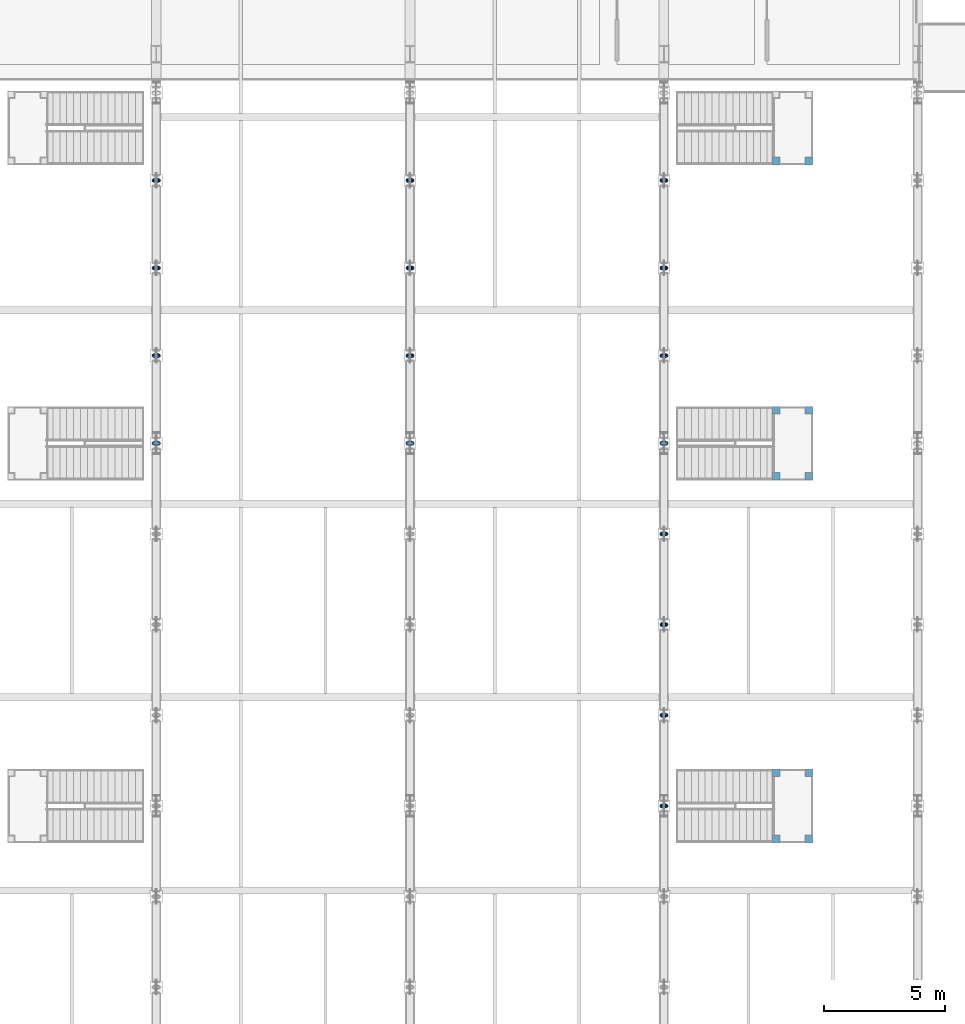
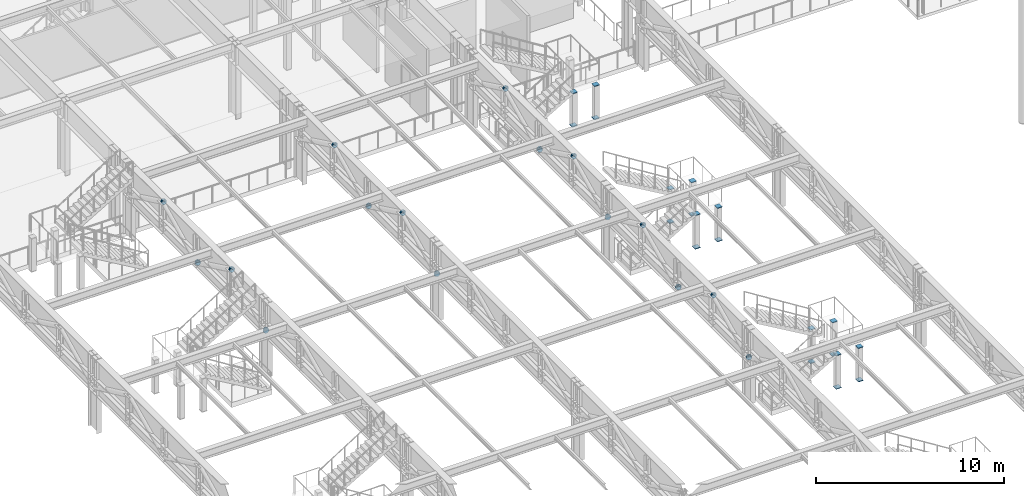
# One storey, part 101 of 143: 52 discrete accessories.
"""IFC4 building model written with IfcOpenShell, lengths in metres."""

from ifc_helpers import new_model, si_unit, direction, frame, origin, origin_2d, place, context, subcontext, project, spatial, rectangle, circle, extrude, material, element, save


model = new_model("IFC4")

# Units and contexts
model_context = context("Model", 3, precision=1e-05, world=origin(), true_north=direction((0.0, 1.0)))
body_context = subcontext(model_context, "Body", "Model", "MODEL_VIEW")
ifc_project = project(units=[si_unit("LENGTHUNIT", "METRE"), si_unit("AREAUNIT", "SQUARE_METRE"), si_unit("VOLUMEUNIT", "CUBIC_METRE"), si_unit("PLANEANGLEUNIT", "RADIAN"), si_unit("MASSUNIT", "GRAM", prefix="KILO")], contexts=[model_context])

# Site, building, storey
site_placement = place(None, origin())
site = spatial("IfcSite", under=ifc_project, at=site_placement, CompositionType="ELEMENT")
building_placement = place(site_placement, origin())
building = spatial("IfcBuilding", under=site, at=building_placement, Name="Marlcrest Central Station", CompositionType="ELEMENT")
storey_placement = place(building_placement, frame((0.0, 0.0, 4.800048828125)))
storey = spatial("IfcBuildingStorey", under=building, at=storey_placement, Name="L01", CompositionType="ELEMENT", Elevation=4.800048828125)

# Discrete accessories
ifc_material = material(Name="Steel S355", Category="steel")
for number, where, z_axis, x_axis, name in (
    (1, (97.5, 80.977294921875, 2.75537109375), (0.0, 0.906183139995, -0.422885465331), (-1.0, 0.0, 0.0), "endcap-mem-TD-01-L01-02203-e"),
    (2, (97.5, 80.986572265625, 2.73828125), (0.0, 0.900551636365, 0.434749065831), (-1.0, 0.0, 0.0), "endcap-mem-TD-01-L01-02206-s"),
    (3, (97.5, 84.6025390625, 4.48388671875), (0.0, 0.900551636365, 0.434749065831), (-1.0, 0.0, 0.0), "endcap-mem-TD-01-L01-02206-e"),
    (4, (97.5, 84.611572265625, 4.50146484375), (0.0, 0.900551636365, -0.434749065831), (-1.0, 0.0, 0.0), "endcap-mem-TD-01-L01-02209-s"),
    (5, (97.5, 88.2275390625, 2.755859375), (0.0, 0.900551636365, -0.434749065831), (-1.0, 0.0, 0.0), "endcap-mem-TD-01-L01-02209-e"),
    (6, (97.5, 88.236572265625, 2.73828125), (0.0, 0.900551636365, 0.434749065831), (-1.0, 0.0, 0.0), "endcap-mem-TD-01-L01-02212-s"),
    (7, (97.5, 91.8525390625, 4.48388671875), (0.0, 0.900551636365, 0.434749065831), (-1.0, 0.0, 0.0), "endcap-mem-TD-01-L01-02212-e"),
    (8, (97.5, 91.861572265625, 4.50146484375), (0.0, 0.900551636365, -0.434749065831), (-1.0, 0.0, 0.0), "endcap-mem-TD-01-L01-02215-s"),
    (9, (108.0, 80.977294921875, 2.75537109375), (0.0, 0.906183139995, -0.422885465331), (-1.0, 0.0, 0.0), "endcap-mem-TD-01-L01-02252-e"),
    (10, (108.0, 80.986572265625, 2.73828125), (0.0, 0.900551636365, 0.434749065831), (-1.0, 0.0, 0.0), "endcap-mem-TD-01-L01-02255-s"),
    (11, (108.0, 84.6025390625, 4.48388671875), (0.0, 0.900551636365, 0.434749065831), (-1.0, 0.0, 0.0), "endcap-mem-TD-01-L01-02255-e"),
    (12, (108.0, 84.611572265625, 4.50146484375), (0.0, 0.900551636365, -0.434749065831), (-1.0, 0.0, 0.0), "endcap-mem-TD-01-L01-02258-s"),
    (13, (108.0, 88.2275390625, 2.755859375), (0.0, 0.900551636365, -0.434749065831), (-1.0, 0.0, 0.0), "endcap-mem-TD-01-L01-02258-e"),
    (14, (108.0, 88.236572265625, 2.73828125), (0.0, 0.900551636365, 0.434749065831), (-1.0, 0.0, 0.0), "endcap-mem-TD-01-L01-02261-s"),
    (15, (108.0, 91.8525390625, 4.48388671875), (0.0, 0.900551636365, 0.434749065831), (-1.0, 0.0, 0.0), "endcap-mem-TD-01-L01-02261-e"),
    (16, (108.0, 91.861572265625, 4.50146484375), (0.0, 0.900551636365, -0.434749065831), (-1.0, 0.0, 0.0), "endcap-mem-TD-01-L01-02264-s"),
    (17, (118.5, 65.977294921875, 2.75537109375), (0.0, 0.906183139995, -0.422885465331), (-1.0, 0.0, 0.0), "endcap-mem-TD-01-L01-02289-e"),
    (18, (118.5, 65.986328125, 2.738525390625), (0.0, 0.906183139995, 0.422885465331), (-1.0, 0.0, 0.0), "endcap-mem-TD-01-L01-02292-s"),
    (19, (118.5, 69.727294921875, 4.484375), (0.0, 0.906183139995, 0.422885465331), (-1.0, 0.0, 0.0), "endcap-mem-TD-01-L01-02292-e"),
    (20, (118.5, 69.736328125, 4.501220703125), (0.0, 0.906183139995, -0.422885465331), (-1.0, 0.0, 0.0), "endcap-mem-TD-01-L01-02295-s"),
    (21, (118.5, 73.477294921875, 2.75537109375), (0.0, 0.906183139995, -0.422885465331), (-1.0, 0.0, 0.0), "endcap-mem-TD-01-L01-02295-e"),
    (22, (118.5, 73.486328125, 2.738525390625), (0.0, 0.906183139995, 0.422885465331), (-1.0, 0.0, 0.0), "endcap-mem-TD-01-L01-02298-s"),
    (23, (118.5, 77.227294921875, 4.484375), (0.0, 0.906183139995, 0.422885465331), (-1.0, 0.0, 0.0), "endcap-mem-TD-01-L01-02298-e"),
    (24, (118.5, 77.236328125, 4.501220703125), (0.0, 0.906183139995, -0.422885465331), (-1.0, 0.0, 0.0), "endcap-mem-TD-01-L01-02301-s"),
    (25, (118.5, 80.977294921875, 2.75537109375), (0.0, 0.906183139995, -0.422885465331), (-1.0, 0.0, 0.0), "endcap-mem-TD-01-L01-02301-e"),
    (26, (118.5, 80.986572265625, 2.73828125), (0.0, 0.900551636365, 0.434749065831), (-1.0, 0.0, 0.0), "endcap-mem-TD-01-L01-02304-s"),
    (27, (118.5, 84.6025390625, 4.48388671875), (0.0, 0.900551636365, 0.434749065831), (-1.0, 0.0, 0.0), "endcap-mem-TD-01-L01-02304-e"),
    (28, (118.5, 84.611572265625, 4.50146484375), (0.0, 0.900551636365, -0.434749065831), (-1.0, 0.0, 0.0), "endcap-mem-TD-01-L01-02307-s"),
    (29, (118.5, 88.2275390625, 2.755859375), (0.0, 0.900551636365, -0.434749065831), (-1.0, 0.0, 0.0), "endcap-mem-TD-01-L01-02307-e"),
    (30, (118.5, 88.236572265625, 2.73828125), (0.0, 0.900551636365, 0.434749065831), (-1.0, 0.0, 0.0), "endcap-mem-TD-01-L01-02310-s"),
    (31, (118.5, 91.8525390625, 4.48388671875), (0.0, 0.900551636365, 0.434749065831), (-1.0, 0.0, 0.0), "endcap-mem-TD-01-L01-02310-e"),
    (32, (118.5, 91.861572265625, 4.50146484375), (0.0, 0.900551636365, -0.434749065831), (-1.0, 0.0, 0.0), "endcap-mem-TD-01-L01-02313-s"),
):
    element("IfcDiscreteAccessory", number, at=place(storey_placement, frame(where, z_axis=z_axis, x_axis=x_axis)), inside=storey, material=ifc_material, Name=name, ObjectType="END_CAP_PLATE", PredefinedType="BRACKET", context=body_context, shape_type="SweptSolid", body=[
        extrude(circle(Radius=0.169921875, at=origin_2d()), origin(), (0.0, 0.0, 1.0), 0.0400390625),
    ])
for number, where, z_axis, x_axis, name in (
    (33, (123.139892578125, 64.6298828125, -0.014892578125), (0.0, 0.0, 1.0), (1.0, 0.0, 0.0), "endcap-stcol-hi1-0018-1231-646-s"),
    (34, (123.139892578125, 64.6298828125, 2.155029296875), (0.0, 0.0, 1.0), (1.0, 0.0, 0.0), "endcap-stcol-hi1-0018-1231-646-e"),
    (35, (123.139892578125, 67.3701171875, -0.014892578125), (0.0, 0.0, 1.0), (1.0, 0.0, 0.0), "endcap-stcol-hi1-0018-1231-673-s"),
    (36, (123.139892578125, 67.3701171875, 2.155029296875), (0.0, 0.0, 1.0), (1.0, 0.0, 0.0), "endcap-stcol-hi1-0018-1231-673-e"),
    (37, (124.5, 64.6298828125, -0.014892578125), (0.0, 0.0, 1.0), (1.0, 0.0, 0.0), "endcap-stcol-hi1-0018-1245-646-s"),
    (38, (124.5, 64.6298828125, 2.155029296875), (0.0, 0.0, 1.0), (1.0, 0.0, 0.0), "endcap-stcol-hi1-0018-1245-646-e"),
    (39, (124.5, 67.3701171875, -0.014892578125), (0.0, 0.0, 1.0), (1.0, 0.0, 0.0), "endcap-stcol-hi1-0018-1245-673-s"),
    (40, (124.5, 67.3701171875, 2.155029296875), (0.0, 0.0, 1.0), (1.0, 0.0, 0.0), "endcap-stcol-hi1-0018-1245-673-e"),
    (41, (123.139892578125, 79.6298828125, -0.014892578125), (0.0, 0.0, 1.0), (1.0, 0.0, 0.0), "endcap-stcol-hi1-0024-1231-796-s"),
    (42, (123.139892578125, 79.6298828125, 2.155029296875), (0.0, 0.0, 1.0), (1.0, 0.0, 0.0), "endcap-stcol-hi1-0024-1231-796-e"),
    (43, (123.139892578125, 82.3701171875, -0.014892578125), (0.0, 0.0, 1.0), (1.0, 0.0, 0.0), "endcap-stcol-hi1-0024-1231-823-s"),
    (44, (123.139892578125, 82.3701171875, 2.155029296875), (0.0, 0.0, 1.0), (1.0, 0.0, 0.0), "endcap-stcol-hi1-0024-1231-823-e"),
    (45, (124.5, 79.6298828125, -0.014892578125), (0.0, 0.0, 1.0), (1.0, 0.0, 0.0), "endcap-stcol-hi1-0024-1245-796-s"),
    (46, (124.5, 79.6298828125, 2.155029296875), (0.0, 0.0, 1.0), (1.0, 0.0, 0.0), "endcap-stcol-hi1-0024-1245-796-e"),
    (47, (124.5, 82.3701171875, -0.014892578125), (0.0, 0.0, 1.0), (1.0, 0.0, 0.0), "endcap-stcol-hi1-0024-1245-823-s"),
    (48, (124.5, 82.3701171875, 2.155029296875), (0.0, 0.0, 1.0), (1.0, 0.0, 0.0), "endcap-stcol-hi1-0024-1245-823-e"),
    (49, (123.139892578125, 92.679931640625, -0.014892578125), (0.0, 0.0, 1.0), (1.0, 0.0, 0.0), "endcap-stcol-hi1-0030-1231-926-s"),
    (50, (123.139892578125, 92.679931640625, 2.155029296875), (0.0, 0.0, 1.0), (1.0, 0.0, 0.0), "endcap-stcol-hi1-0030-1231-926-e"),
    (51, (124.5, 92.679931640625, -0.014892578125), (0.0, 0.0, 1.0), (1.0, 0.0, 0.0), "endcap-stcol-hi1-0030-1245-926-s"),
    (52, (124.5, 92.679931640625, 2.155029296875), (0.0, 0.0, 1.0), (1.0, 0.0, 0.0), "endcap-stcol-hi1-0030-1245-926-e"),
):
    element("IfcDiscreteAccessory", number, at=place(storey_placement, frame(where, z_axis=z_axis, x_axis=x_axis)), inside=storey, material=ifc_material, Name=name, ObjectType="END_CAP_PLATE", PredefinedType="BRACKET", context=body_context, shape_type="SweptSolid", body=[
        extrude(rectangle(XDim=0.31591796875, YDim=0.31591796875, at=origin_2d()), origin(), (0.0, 0.0, 1.0), 0.0400390625),
    ])

save(model, "model.ifc")
